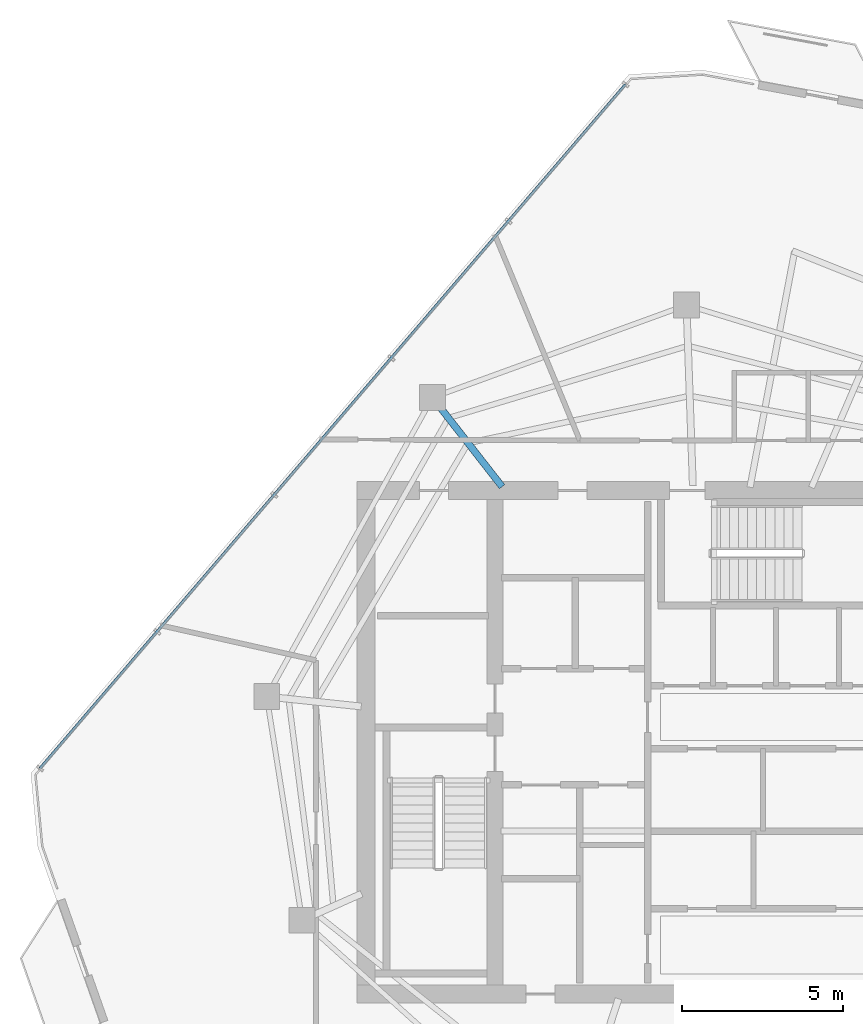
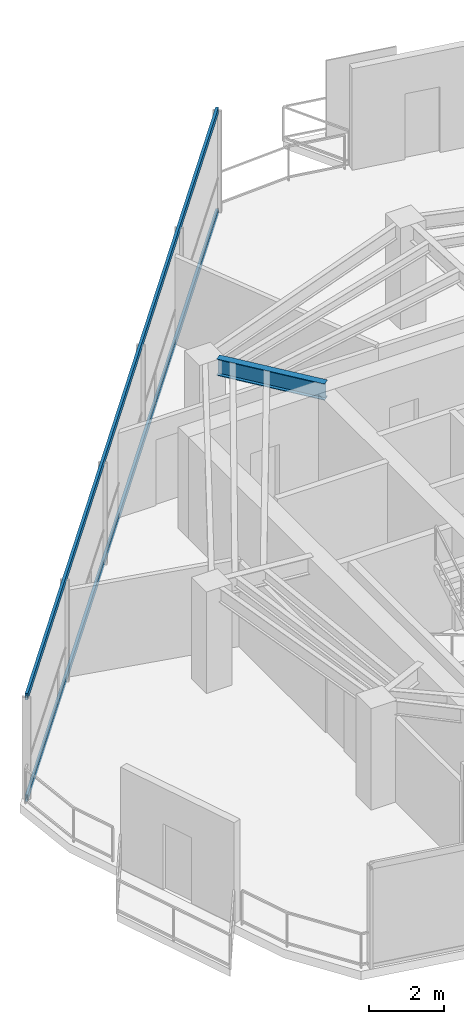
# One storey, part 7 of 18: 2 members, 1 beam, 1 element without a shape of its own.
"""IFC4 building model written with IfcOpenShell, lengths in metres."""

from ifc_helpers import new_model, si_unit, direction, frame, origin, origin_2d, place, context, subcontext, project, spatial, hollow_rectangle, i_section, extrude, material, layer, layer_set, material_profile, profile_set, type_object, element, aggregate, save


model = new_model("IFC4")

# Units and contexts
model_context = context("Model", 3, precision=1e-05, world=origin(), true_north=direction((0.0, 1.0)))
body_context = subcontext(model_context, "Body", "Model", "MODEL_VIEW")
ifc_project = project(units=[si_unit("LENGTHUNIT", "METRE"), si_unit("AREAUNIT", "SQUARE_METRE"), si_unit("VOLUMEUNIT", "CUBIC_METRE"), si_unit("PLANEANGLEUNIT", "RADIAN"), si_unit("MASSUNIT", "GRAM", prefix="KILO")], contexts=[model_context])

# Site, building, storey
site_placement = place(None, origin())
site = spatial("IfcSite", under=ifc_project, at=site_placement, CompositionType="ELEMENT")
building_placement = place(site_placement, origin())
building = spatial("IfcBuilding", under=site, at=building_placement, Name="Qarnah Convention Tower", CompositionType="ELEMENT")
storey_placement = place(building_placement, frame((0.0, 0.0, 253.5)))
storey = spatial("IfcBuildingStorey", under=building, at=storey_placement, Name="L68", CompositionType="ELEMENT", Elevation=253.5)

# Beam
ifc_material_1 = material(Name="Structural steel S355JR", Category="steel")
ifc_material_profile_1 = material_profile(ifc_material_1, i_section(OverallWidth=0.2119140625, OverallDepth=0.5400390625, WebThickness=0.011962890625, FlangeThickness=0.01904296875, at=origin_2d()), Name="W530X109")
ifc_profile_set_1 = profile_set([ifc_material_profile_1], Name="Structural steel S355JR")
beam_type = type_object("IfcBeamType", Name="BM-RAD-W530A", PredefinedType="BEAM", material=ifc_profile_set_1)
beam_placement = place(storey_placement, frame((31.013916015625, 34.318115234375, 3.050048828125), z_axis=(-0.61549837076, 0.78813815768, 0.0), x_axis=(-0.78813815768, -0.61549837076, 0.0)))
element("IfcBeam", 1, at=beam_placement, inside=storey, type_object=beam_type, Name="L68 beam BM-L68-RAD-04", PredefinedType="BEAM", context=body_context, shape_type="SweptSolid", body=[
    extrude(i_section(OverallWidth=0.2119140625, OverallDepth=0.5400390625, WebThickness=0.011962890625, FlangeThickness=0.01904296875, at=origin_2d()), origin(), (0.0, 0.0, 1.0), 3.12255859375),
])

# Curtain wall, members
ifc_material_2 = material(Name="Tempered Low-E dark glass", Category="glass")
ifc_layer = layer(ifc_material_2, 0.176025390625)
ifc_layer_set = layer_set([ifc_layer], Name="Tempered Low-E dark glass")
curtain_wall_type = type_object("IfcCurtainWallType", Name="CWS-05", PredefinedType="NOTDEFINED", material=ifc_layer_set)
curtain_wall_placement = place(storey_placement, origin())
curtain_wall = element("IfcCurtainWall", 2, at=curtain_wall_placement, inside=storey, type_object=curtain_wall_type, Name="L68 unitised curtain wall CW-L68-F1", PredefinedType="NOTDEFINED")
ifc_material_3 = material(Name="Black anodised aluminium", Category="aluminium")
ifc_material_profile_2 = material_profile(ifc_material_3, hollow_rectangle(XDim=0.080078125, YDim=0.2099609375, WallThickness=0.0048828125, at=origin_2d()), Name="TRN-80X210")
ifc_profile_set_2 = profile_set([ifc_material_profile_2], Name="Black anodised aluminium")
member_type = type_object("IfcMemberType", Name="TRN-T5", PredefinedType="USERDEFINED", material=ifc_profile_set_2)
member_1_placement = place(storey_placement, frame((16.701904296875, 25.590087890625, 0.0), z_axis=(0.650248333176, 0.759721728794, 0.0), x_axis=(-0.759721728794, 0.650248333176, 0.0)))
member_1 = element("IfcMember", 3, at=member_1_placement, type_object=member_type, Name="CW-L68-F1 transom 1", ObjectType="TRANSOM", PredefinedType="USERDEFINED", context=body_context, shape_type="SweptSolid", body=[
    extrude(hollow_rectangle(XDim=0.080078125, YDim=0.2099609375, WallThickness=0.0048828125, at=origin_2d()), origin(), (0.0, 0.0, 1.0), 27.887939453125),
])
member_2_placement = place(storey_placement, frame((16.701904296875, 25.590087890625, 3.320068359375), z_axis=(0.650248333176, 0.759721728794, 0.0), x_axis=(-0.759721728794, 0.650248333176, 0.0)))
member_2 = element("IfcMember", 4, at=member_2_placement, type_object=member_type, Name="CW-L68-F1 transom 2", ObjectType="TRANSOM", PredefinedType="USERDEFINED", context=body_context, shape_type="SweptSolid", body=[
    extrude(hollow_rectangle(XDim=0.080078125, YDim=0.2099609375, WallThickness=0.0048828125, at=origin_2d()), origin(), (0.0, 0.0, 1.0), 27.887939453125),
])
aggregate(curtain_wall, [member_1, member_2])

save(model, "model.ifc")
